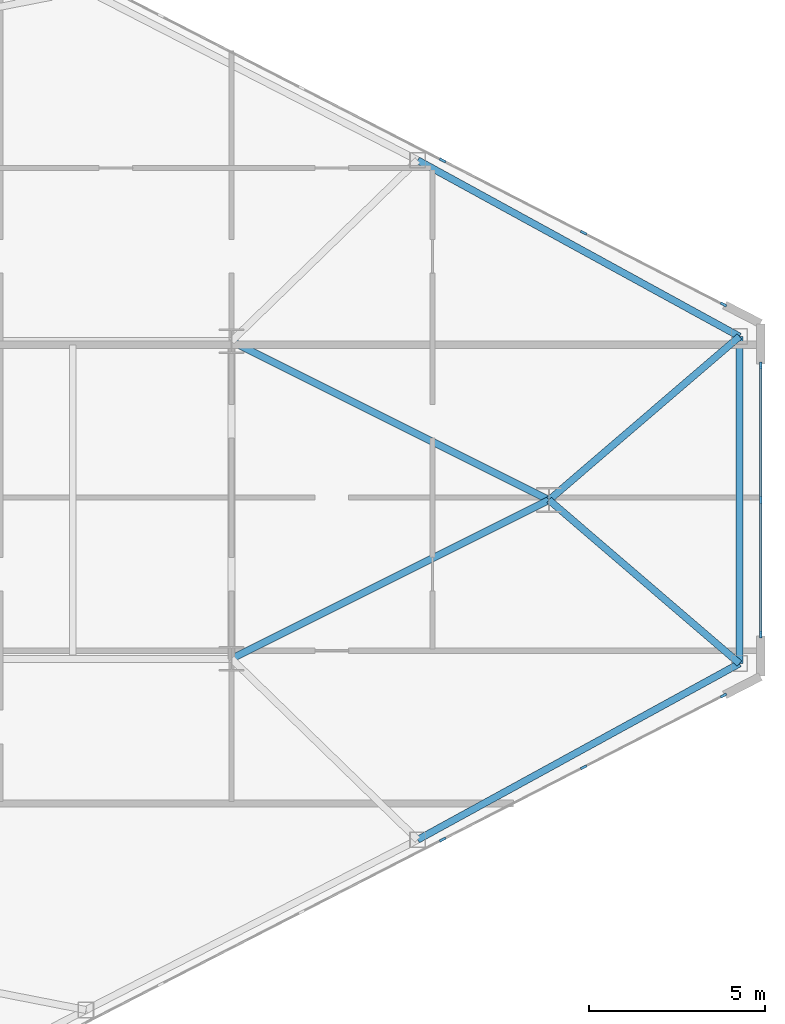
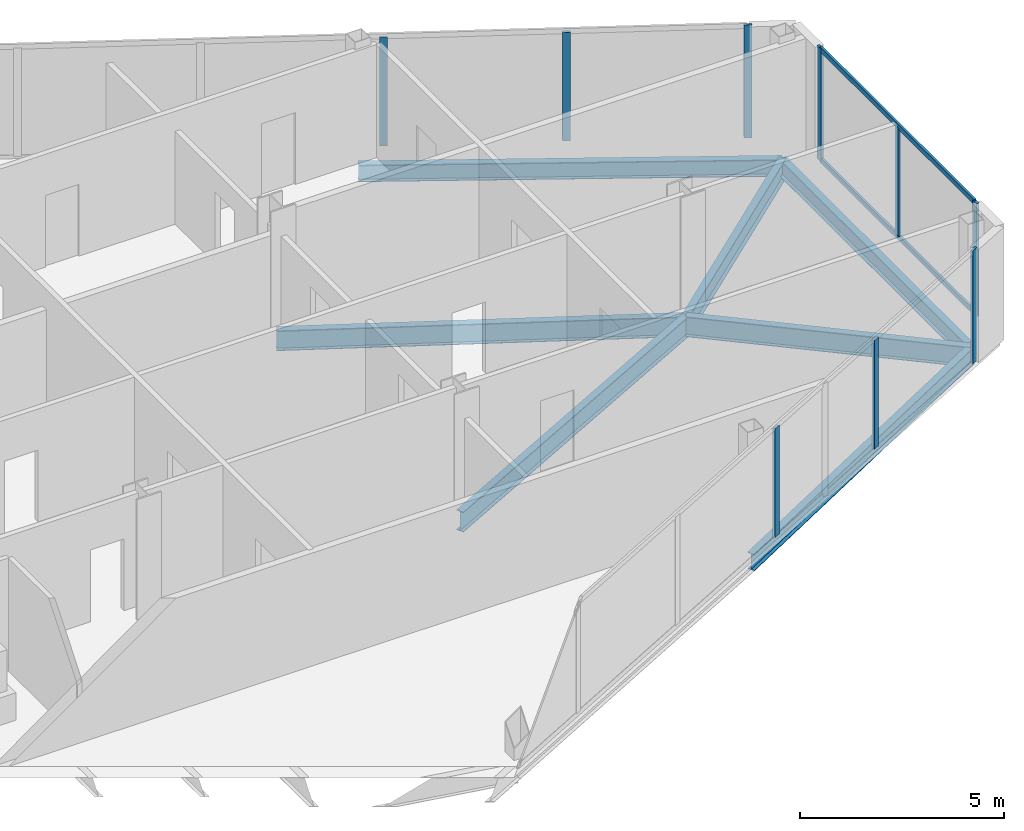
# One storey, part 13 of 22: 11 members, 7 beams, 3 elements without a shape of their own.
"""IFC4 building model written with IfcOpenShell, lengths in metres."""

from ifc_helpers import new_model, si_unit, direction, frame, origin, origin_2d, place, context, subcontext, project, spatial, rectangle, i_section, extrude, source, transform, mapped, material, layer, layer_set, material_profile, profile_set, type_object, type_shapes, element, aggregate, save


model = new_model("IFC4")

# Units and contexts
model_context = context("Model", 3, precision=1e-05, world=origin(), true_north=direction((0.0, 1.0)))
body_context = subcontext(model_context, "Body", "Model", "MODEL_VIEW")
ifc_project = project(units=[si_unit("LENGTHUNIT", "METRE"), si_unit("AREAUNIT", "SQUARE_METRE"), si_unit("VOLUMEUNIT", "CUBIC_METRE"), si_unit("PLANEANGLEUNIT", "RADIAN"), si_unit("MASSUNIT", "GRAM", prefix="KILO")], contexts=[model_context])

# Site, building, storey
site_placement = place(None, origin())
site = spatial("IfcSite", under=ifc_project, at=site_placement, CompositionType="ELEMENT")
building_placement = place(site_placement, origin())
building = spatial("IfcBuilding", under=site, at=building_placement, Name="Seokmaru Belvedere", CompositionType="ELEMENT")
storey_placement = place(building_placement, frame((0.0, 0.0, 151.199951171875)))
storey = spatial("IfcBuildingStorey", under=building, at=storey_placement, Name="L40", CompositionType="ELEMENT", Elevation=151.199951171875)

# Beams
ifc_material_1 = material(Name="Steel SM355 (355 MPa)", Category="steel")
ifc_material_profile_1 = material_profile(ifc_material_1, i_section(OverallWidth=0.199951171875, OverallDepth=0.60009765625, WebThickness=0.010986328125, FlangeThickness=0.01708984375, at=origin_2d()), Name="H-600x200x11x17")
ifc_profile_set_1 = profile_set([ifc_material_profile_1], Name="Steel SM355 (355 MPa)")
beam_type_1 = type_object("IfcBeamType", Name="Primary Floor Girder H-600", PredefinedType="BEAM", material=ifc_profile_set_1)
shared_shape_1 = source(origin(), body_context, "Body", "SweptSolid", [
    extrude(i_section(OverallWidth=0.199951171875, OverallDepth=0.60009765625, WebThickness=0.010986328125, FlangeThickness=0.01708984375, at=origin_2d()), origin(), (0.0, 0.0, 1.0), 10.062255859375),
])
for number, where, z_axis, x_axis, name in (
    (1, (54.5, -4.5, -0.52001953125), (0.894427191, 0.4472135955, 0.0), (-0.4472135955, 0.894427191, 0.0), "L40 E Apex Converging Girder 1"),
    (2, (54.5, 4.5, -0.52001953125), (0.894427191, -0.4472135955, 0.0), (0.4472135955, 0.894427191, 0.0), "L40 E Apex Converging Girder 2"),
):
    element("IfcBeam", number, at=place(storey_placement, frame(where, z_axis=z_axis, x_axis=x_axis)), inside=storey, type_object=beam_type_1, Name=name, PredefinedType="BEAM", context=body_context, shape_type="MappedRepresentation", body=[
        mapped(shared_shape_1, transform((0.0, 0.0, 0.0), scale=1.0)),
    ])
ifc_material_profile_2 = material_profile(ifc_material_1, i_section(OverallWidth=0.199951171875, OverallDepth=0.5, WebThickness=0.010009765625, FlangeThickness=0.01611328125, at=origin_2d()), Name="H-500x200x10x16")
ifc_profile_set_2 = profile_set([ifc_material_profile_2], Name="Steel SM355 (355 MPa)")
beam_type_2 = type_object("IfcBeamType", Name="Perimeter Spandrel Beam H-500", PredefinedType="SPANDREL", material=ifc_profile_set_2)
shared_shape_2 = source(origin(), body_context, "Body", "SweptSolid", [
    extrude(i_section(OverallWidth=0.199951171875, OverallDepth=0.5, WebThickness=0.010009765625, FlangeThickness=0.01611328125, at=origin_2d()), origin(), (0.0, 0.0, 1.0), 10.399658203125),
])
for number, where, z_axis, x_axis, name in (
    (3, (59.778564453125, -9.62890625, -0.469970703125), (0.877082374422, 0.480339992587, 0.0), (-0.480339992587, 0.877082374422, 0.0), "L40 E Faceted Flank Spandrel S-4"),
    (4, (59.778564453125, 9.62890625, -0.469970703125), (0.877082374422, -0.480339992587, 0.0), (0.480339992587, 0.877082374422, 0.0), "L40 E Faceted Flank Spandrel N-4"),
):
    element("IfcBeam", number, at=place(storey_placement, frame(where, z_axis=z_axis, x_axis=x_axis)), inside=storey, type_object=beam_type_2, Name=name, PredefinedType="SPANDREL", context=body_context, shape_type="MappedRepresentation", body=[
        mapped(shared_shape_2, transform((0.0, 0.0, 0.0), scale=1.0)),
    ])
shared_shape_3 = source(origin(), body_context, "Body", "SweptSolid", [
    extrude(i_section(OverallWidth=0.199951171875, OverallDepth=0.5, WebThickness=0.010009765625, FlangeThickness=0.01611328125, at=origin_2d()), origin(), (0.0, 0.0, 1.0), 9.26708984375),
])
type_shapes(beam_type_2, [shared_shape_2, shared_shape_3])
beam_placement = place(storey_placement, frame((68.89990234375, -4.633544921875, -0.469970703125), z_axis=(0.0, 1.0, 0.0), x_axis=(-1.0, 0.0, 0.0)))
element("IfcBeam", 5, at=beam_placement, inside=storey, type_object=beam_type_2, Name="L40 E Faceted Apex Spandrel", PredefinedType="SPANDREL", context=body_context, shape_type="MappedRepresentation", body=[
    mapped(shared_shape_3, transform((0.0, 0.0, 0.0), scale=1.0)),
])
shared_shape_4 = source(origin(), body_context, "Body", "SweptSolid", [
    extrude(i_section(OverallWidth=0.199951171875, OverallDepth=0.60009765625, WebThickness=0.010986328125, FlangeThickness=0.01708984375, at=origin_2d()), origin(), (0.0, 0.0, 1.0), 7.115478515625),
])
type_shapes(beam_type_1, [shared_shape_1, shared_shape_4])
for number, where, z_axis, x_axis, name in (
    (6, (68.89990234375, -4.633544921875, -0.52001953125), (-0.758905301881, 0.651201000289, 0.0), (-0.651201000289, -0.758905301881, 0.0), "L40 E Apex Radial Floor Girder 1"),
    (7, (68.89990234375, 4.633544921875, -0.52001953125), (-0.758905301881, -0.651201000289, 0.0), (0.651201000289, -0.758905301881, 0.0), "L40 E Apex Radial Floor Girder 2"),
):
    element("IfcBeam", number, at=place(storey_placement, frame(where, z_axis=z_axis, x_axis=x_axis)), inside=storey, type_object=beam_type_1, Name=name, PredefinedType="BEAM", context=body_context, shape_type="MappedRepresentation", body=[
        mapped(shared_shape_4, transform((0.0, 0.0, 0.0), scale=1.0)),
    ])

# Curtain wall, member
ifc_material_2 = material(Name="Bronze Triple Insulating Glass", Category="glass")
ifc_layer = layer(ifc_material_2, 0.195068359375)
ifc_layer_set = layer_set([ifc_layer], Name="Bronze Triple Insulating Glass")
curtain_wall_type = type_object("IfcCurtainWallType", Name="Sky-Lobby and Mid-Rise Curtain Wall System CW-4", PredefinedType="NOTDEFINED", material=ifc_layer_set)
curtain_wall_1_placement = place(storey_placement, origin())
curtain_wall_1 = element("IfcCurtainWall", 8, at=curtain_wall_1_placement, inside=storey, type_object=curtain_wall_type, Name="L40 Curtain Wall EF1", PredefinedType="NOTDEFINED")
ifc_material_3 = material(Name="Anodised Bronze Aluminium", Category="aluminium")
ifc_material_profile_3 = material_profile(ifc_material_3, rectangle(XDim=0.070068359375, YDim=0.195068359375, at=origin_2d()), Name="CW-M-70x195")
ifc_profile_set_3 = profile_set([ifc_material_profile_3], Name="Anodised Bronze Aluminium")
member_type_1 = type_object("IfcMemberType", Name="Bronze Unitised Mullion 70x195", PredefinedType="MULLION", material=ifc_profile_set_3)
shared_shape_5 = source(origin(), body_context, "Body", "SweptSolid", [
    extrude(rectangle(XDim=0.070068359375, YDim=0.195068359375, at=origin_2d()), origin(), (0.0, 0.0, 1.0), 3.380126953125),
])
member_1_placement = place(storey_placement, frame((68.44580078125, -5.541015625, 0.0), z_axis=(0.0, 0.0, 1.0), x_axis=(-0.456554528263, 0.889695432562, 0.0)))
member_1 = element("IfcMember", 9, at=member_1_placement, type_object=member_type_1, Name="CW:L40:EF1 Mullion 10", PredefinedType="MULLION", context=body_context, shape_type="MappedRepresentation", body=[
    mapped(shared_shape_5, transform((0.0, 0.0, 0.0), scale=1.0)),
])

# Curtain wall, members
curtain_wall_2_placement = place(storey_placement, origin())
curtain_wall_2 = element("IfcCurtainWall", 10, at=curtain_wall_2_placement, inside=storey, type_object=curtain_wall_type, Name="L40 Curtain Wall EF2", PredefinedType="NOTDEFINED")
member_2_placement = place(storey_placement, frame((69.5, -3.81494140625, 0.0), z_axis=(0.0, 0.0, 1.0), x_axis=(-1.0, 0.0, 0.0)))
member_2 = element("IfcMember", 11, at=member_2_placement, type_object=member_type_1, Name="CW:L40:EF2 Mullion 1", PredefinedType="MULLION", context=body_context, shape_type="MappedRepresentation", body=[
    mapped(shared_shape_5, transform((0.0, 0.0, 0.0), scale=1.0)),
])
member_3_placement = place(storey_placement, frame((69.5, 3.81494140625, 0.0), z_axis=(0.0, 0.0, 1.0), x_axis=(-1.0, 0.0, 0.0)))
member_3 = element("IfcMember", 12, at=member_3_placement, type_object=member_type_1, Name="CW:L40:EF2 Mullion 3", PredefinedType="MULLION", context=body_context, shape_type="MappedRepresentation", body=[
    mapped(shared_shape_5, transform((0.0, 0.0, 0.0), scale=1.0)),
])

# Curtain wall, member
curtain_wall_3_placement = place(storey_placement, origin())
curtain_wall_3 = element("IfcCurtainWall", 13, at=curtain_wall_3_placement, inside=storey, type_object=curtain_wall_type, Name="L40 Curtain Wall EF3", PredefinedType="NOTDEFINED")
member_4_placement = place(storey_placement, frame((68.44580078125, 5.541015625, 0.0), z_axis=(0.0, 0.0, 1.0), x_axis=(-0.456554528263, -0.889695432562, 0.0)))
member_4 = element("IfcMember", 14, at=member_4_placement, type_object=member_type_1, Name="CW:L40:EF3 Mullion 1", PredefinedType="MULLION", context=body_context, shape_type="MappedRepresentation", body=[
    mapped(shared_shape_5, transform((0.0, 0.0, 0.0), scale=1.0)),
])

# Member
shared_shape_6 = source(origin(), body_context, "Body", "SweptSolid", [
    extrude(rectangle(XDim=0.070068359375, YDim=0.195068359375, at=origin_2d()), origin(), (0.0, 0.0, 1.0), 3.25),
])
type_shapes(member_type_1, [shared_shape_5, shared_shape_6])
member_5_placement = place(storey_placement, frame((60.4873046875, -9.625, 0.06494140625), z_axis=(0.0, 0.0, 1.0), x_axis=(-0.456554528263, 0.889695432562, 0.0)))
member_5 = element("IfcMember", 15, at=member_5_placement, type_object=member_type_1, Name="CW:L40:EF1 Mullion 8", PredefinedType="MULLION", context=body_context, shape_type="MappedRepresentation", body=[
    mapped(shared_shape_6, transform((0.0, 0.0, 0.0), scale=1.0)),
])

member_6_placement = place(storey_placement, frame((64.48193359375, -7.574951171875, 0.06494140625), z_axis=(0.0, 0.0, 1.0), x_axis=(-0.456554528263, 0.889695432562, 0.0)))
member_6 = element("IfcMember", 16, at=member_6_placement, type_object=member_type_1, Name="CW:L40:EF1 Mullion 9", PredefinedType="MULLION", context=body_context, shape_type="MappedRepresentation", body=[
    mapped(shared_shape_6, transform((0.0, 0.0, 0.0), scale=1.0)),
])

aggregate(curtain_wall_1, [member_5, member_6, member_1])

member_7_placement = place(storey_placement, frame((69.5, 0.0, 0.06494140625), z_axis=(0.0, 0.0, 1.0), x_axis=(-1.0, 0.0, 0.0)))
member_7 = element("IfcMember", 17, at=member_7_placement, type_object=member_type_1, Name="CW:L40:EF2 Mullion 2", PredefinedType="MULLION", context=body_context, shape_type="MappedRepresentation", body=[
    mapped(shared_shape_6, transform((0.0, 0.0, 0.0), scale=1.0)),
])

member_8_placement = place(storey_placement, frame((64.48193359375, 7.574951171875, 0.06494140625), z_axis=(0.0, 0.0, 1.0), x_axis=(-0.456554528263, -0.889695432562, 0.0)))
member_8 = element("IfcMember", 18, at=member_8_placement, type_object=member_type_1, Name="CW:L40:EF3 Mullion 2", PredefinedType="MULLION", context=body_context, shape_type="MappedRepresentation", body=[
    mapped(shared_shape_6, transform((0.0, 0.0, 0.0), scale=1.0)),
])

member_9_placement = place(storey_placement, frame((60.4873046875, 9.625, 0.06494140625), z_axis=(0.0, 0.0, 1.0), x_axis=(-0.456554528263, -0.889695432562, 0.0)))
member_9 = element("IfcMember", 19, at=member_9_placement, type_object=member_type_1, Name="CW:L40:EF3 Mullion 3", PredefinedType="MULLION", context=body_context, shape_type="MappedRepresentation", body=[
    mapped(shared_shape_6, transform((0.0, 0.0, 0.0), scale=1.0)),
])

aggregate(curtain_wall_3, [member_4, member_8, member_9])

ifc_material_profile_4 = material_profile(ifc_material_3, rectangle(XDim=0.06494140625, YDim=0.14990234375, at=origin_2d()), Name="CW-T-65x150")
ifc_profile_set_4 = profile_set([ifc_material_profile_4], Name="Anodised Bronze Aluminium")
member_type_2 = type_object("IfcMemberType", Name="Bronze Unitised Transom 65x150", PredefinedType="USERDEFINED", material=ifc_profile_set_4)
shared_shape_7 = source(origin(), body_context, "Body", "SweptSolid", [
    extrude(rectangle(XDim=0.06494140625, YDim=0.14990234375, at=origin_2d()), origin(), (0.0, 0.0, 1.0), 7.56005859375),
])
type_shapes(member_type_2, [shared_shape_7])
member_10_placement = place(storey_placement, frame((69.5, -3.780029296875, 0.032470703125), z_axis=(0.0, 1.0, 0.0), x_axis=(-1.0, 0.0, 0.0)))
member_10 = element("IfcMember", 20, at=member_10_placement, type_object=member_type_2, Name="CW:L40:EF2 Continuous Transom 1", ObjectType="TRANSOM", PredefinedType="USERDEFINED", context=body_context, shape_type="MappedRepresentation", body=[
    mapped(shared_shape_7, transform((0.0, 0.0, 0.0), scale=1.0)),
])

member_11_placement = place(storey_placement, frame((69.5, -3.780029296875, 3.34765625), z_axis=(0.0, 1.0, 0.0), x_axis=(-1.0, 0.0, 0.0)))
member_11 = element("IfcMember", 21, at=member_11_placement, type_object=member_type_2, Name="CW:L40:EF2 Continuous Transom 2", ObjectType="TRANSOM", PredefinedType="USERDEFINED", context=body_context, shape_type="MappedRepresentation", body=[
    mapped(shared_shape_7, transform((0.0, 0.0, 0.0), scale=1.0)),
])

aggregate(curtain_wall_2, [member_2, member_7, member_3, member_10, member_11])

save(model, "model.ifc")
